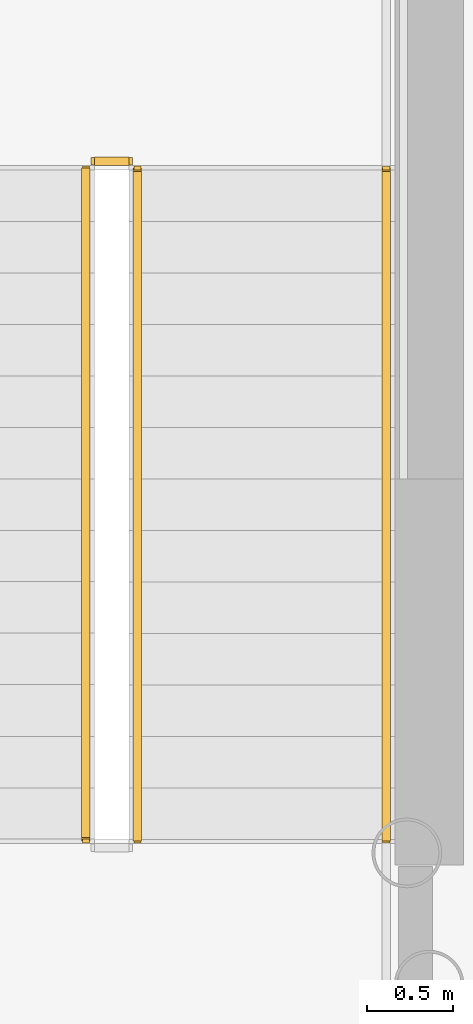
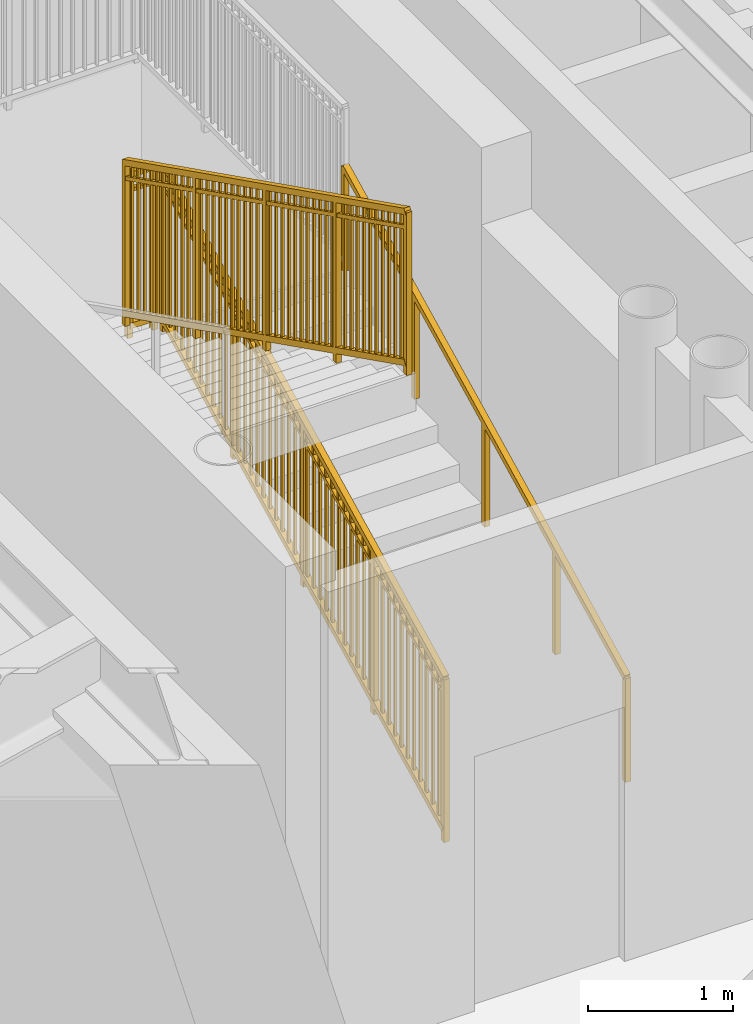
# One storey, part 25 of 32: 4 railings.
"""IFC4 building model written with IfcOpenShell, lengths in metres."""

from ifc_helpers import new_model, si_unit, direction, frame, origin, origin_2d, place, context, subcontext, project, spatial, rectangle, extrude, source, transform, mapped, material, type_object, element, save


model = new_model("IFC4")

# Units and contexts
model_context = context("Model", 3, precision=1e-05, world=origin(), true_north=direction((0.0, 1.0)))
body_context = subcontext(model_context, "Body", "Model", "MODEL_VIEW")
ifc_project = project(units=[si_unit("LENGTHUNIT", "METRE"), si_unit("AREAUNIT", "SQUARE_METRE"), si_unit("VOLUMEUNIT", "CUBIC_METRE"), si_unit("PLANEANGLEUNIT", "RADIAN"), si_unit("MASSUNIT", "GRAM", prefix="KILO")], contexts=[model_context])

# Site, building, storey
site_placement = place(None, origin())
site = spatial("IfcSite", under=ifc_project, at=site_placement, CompositionType="ELEMENT")
building_placement = place(site_placement, origin())
building = spatial("IfcBuilding", under=site, at=building_placement, Name="Linh Dai School and Residence Tower", CompositionType="ELEMENT")
storey_placement = place(building_placement, frame((0.0, 0.0, 40.800048828125)))
storey = spatial("IfcBuildingStorey", under=building, at=storey_placement, Name="L09", CompositionType="ELEMENT", Elevation=40.800048828125)

# Railings
ifc_material_1 = material(Name="Structural Steel S355JR", Category="steel")
railing_type_1 = type_object("IfcRailingType", Name="RL-ST-GUARD-1400", PredefinedType="GUARDRAIL", material=ifc_material_1)
shared_shape_1 = source(origin(), body_context, "Body", "SweptSolid", [
    extrude(rectangle(XDim=0.048095703125, YDim=0.048095703125, at=origin_2d()), frame((0.0, 0.0, 1.3759765625), z_axis=(-1.0, 0.0, 0.0), x_axis=(0.0, -1.0, 0.0)), (0.0, 0.0, 1.0), 0.199951171875),
    extrude(rectangle(XDim=0.048095703125, YDim=0.048095703125, at=origin_2d()), frame((0.0, 0.0, 0.10009765625), z_axis=(-1.0, 0.0, 0.0), x_axis=(0.0, -1.0, 0.0)), (0.0, 0.0, 1.0), 0.199951171875),
    extrude(rectangle(XDim=0.030029296875, YDim=0.030029296875, at=origin_2d()), frame((0.0, 0.0, 1.239990234375), z_axis=(-1.0, 0.0, 0.0), x_axis=(0.0, -1.0, 0.0)), (0.0, 0.0, 1.0), 0.199951171875),
    extrude(rectangle(XDim=0.0419921875, YDim=0.0419921875, at=origin_2d()), origin(), (0.0, 0.0, 1.0), 1.3759765625),
    extrude(rectangle(XDim=0.0419921875, YDim=0.0419921875, at=origin_2d()), frame((-0.199951171875, 0.0, 0.0)), (0.0, 0.0, 1.0), 1.3759765625),
])
railing_1_placement = place(storey_placement, frame((29.429931640625, 29.64990234375, 2.099853515625)))
element("IfcRailing", 1, at=railing_1_placement, inside=storey, type_object=railing_type_1, Name="L09 ST1 stair guard 2", PredefinedType="GUARDRAIL", context=body_context, shape_type="MappedRepresentation", body=[
    mapped(shared_shape_1, transform((0.0, 0.0, 0.0), x_axis=(1.0, 0.0, 0.0), y_axis=(0.0, 1.0, 0.0), z_axis=(0.0, 0.0, 1.0), scale=1.0)),
])
shared_shape_2 = source(origin(), body_context, "Body", "SweptSolid", [
    extrude(rectangle(XDim=0.048095703125, YDim=0.048095703125, at=origin_2d()), frame((0.0, 0.0, 1.3759765625), z_axis=(0.0, -0.894438388696, 0.447191199406), x_axis=(1.0, 0.0, 0.0)), (0.0, 0.0, 1.0), 4.3603515625),
    extrude(rectangle(XDim=0.048095703125, YDim=0.048095703125, at=origin_2d()), frame((0.0, 0.0, 0.10009765625), z_axis=(0.0, -0.894438388696, 0.447191199406), x_axis=(1.0, 0.0, 0.0)), (0.0, 0.0, 1.0), 4.3603515625),
    extrude(rectangle(XDim=0.030029296875, YDim=0.030029296875, at=origin_2d()), frame((0.0, 0.0, 1.239990234375), z_axis=(0.0, -0.894438388696, 0.447191199406), x_axis=(1.0, 0.0, 0.0)), (0.0, 0.0, 1.0), 4.3603515625),
    extrude(rectangle(XDim=0.02001953125, YDim=0.02001953125, at=origin_2d()), frame((0.0, -0.086669921875, 0.143310546875)), (0.0, 0.0, 1.0), 1.251708984375),
    extrude(rectangle(XDim=0.02001953125, YDim=0.02001953125, at=origin_2d()), frame((0.0, -0.17333984375, 0.186767578125)), (0.0, 0.0, 1.0), 1.251708984375),
    extrude(rectangle(XDim=0.02001953125, YDim=0.02001953125, at=origin_2d()), frame((0.0, -0.260009765625, 0.22998046875)), (0.0, 0.0, 1.0), 1.251708984375),
    extrude(rectangle(XDim=0.02001953125, YDim=0.02001953125, at=origin_2d()), frame((0.0, -0.3466796875, 0.2734375)), (0.0, 0.0, 1.0), 1.251708984375),
    extrude(rectangle(XDim=0.02001953125, YDim=0.02001953125, at=origin_2d()), frame((0.0, -0.433349609375, 0.316650390625)), (0.0, 0.0, 1.0), 1.251708984375),
    extrude(rectangle(XDim=0.02001953125, YDim=0.02001953125, at=origin_2d()), frame((0.0, -0.52001953125, 0.360107421875)), (0.0, 0.0, 1.0), 1.251708984375),
    extrude(rectangle(XDim=0.02001953125, YDim=0.02001953125, at=origin_2d()), frame((0.0, -0.606689453125, 0.4033203125)), (0.0, 0.0, 1.0), 1.251708984375),
    extrude(rectangle(XDim=0.02001953125, YDim=0.02001953125, at=origin_2d()), frame((0.0, -0.693359375, 0.44677734375)), (0.0, 0.0, 1.0), 1.251708984375),
    extrude(rectangle(XDim=0.02001953125, YDim=0.02001953125, at=origin_2d()), frame((0.0, -0.780029296875, 0.489990234375)), (0.0, 0.0, 1.0), 1.251708984375),
    extrude(rectangle(XDim=0.02001953125, YDim=0.02001953125, at=origin_2d()), frame((0.0, -0.86669921875, 0.533447265625)), (0.0, 0.0, 1.0), 1.251708984375),
    extrude(rectangle(XDim=0.02001953125, YDim=0.02001953125, at=origin_2d()), frame((0.0, -1.0400390625, 0.6201171875)), (0.0, 0.0, 1.0), 1.251708984375),
    extrude(rectangle(XDim=0.02001953125, YDim=0.02001953125, at=origin_2d()), frame((0.0, -1.126708984375, 0.663330078125)), (0.0, 0.0, 1.0), 1.251708984375),
    extrude(rectangle(XDim=0.02001953125, YDim=0.02001953125, at=origin_2d()), frame((0.0, -1.21337890625, 0.706787109375)), (0.0, 0.0, 1.0), 1.251708984375),
    extrude(rectangle(XDim=0.02001953125, YDim=0.02001953125, at=origin_2d()), frame((0.0, -1.300048828125, 0.75)), (0.0, 0.0, 1.0), 1.251708984375),
    extrude(rectangle(XDim=0.02001953125, YDim=0.02001953125, at=origin_2d()), frame((0.0, -1.38671875, 0.79345703125)), (0.0, 0.0, 1.0), 1.251708984375),
    extrude(rectangle(XDim=0.02001953125, YDim=0.02001953125, at=origin_2d()), frame((0.0, -1.473388671875, 0.836669921875)), (0.0, 0.0, 1.0), 1.251708984375),
    extrude(rectangle(XDim=0.02001953125, YDim=0.02001953125, at=origin_2d()), frame((0.0, -1.56005859375, 0.880126953125)), (0.0, 0.0, 1.0), 1.251708984375),
    extrude(rectangle(XDim=0.02001953125, YDim=0.02001953125, at=origin_2d()), frame((0.0, -1.646728515625, 0.92333984375)), (0.0, 0.0, 1.0), 1.251708984375),
    extrude(rectangle(XDim=0.02001953125, YDim=0.02001953125, at=origin_2d()), frame((0.0, -1.7333984375, 0.966796875)), (0.0, 0.0, 1.0), 1.251708984375),
    extrude(rectangle(XDim=0.02001953125, YDim=0.02001953125, at=origin_2d()), frame((0.0, -1.820068359375, 1.010009765625)), (0.0, 0.0, 1.0), 1.251708984375),
    extrude(rectangle(XDim=0.02001953125, YDim=0.02001953125, at=origin_2d()), frame((0.0, -1.90673828125, 1.053466796875)), (0.0, 0.0, 1.0), 1.251708984375),
    extrude(rectangle(XDim=0.02001953125, YDim=0.02001953125, at=origin_2d()), frame((0.0, -1.993408203125, 1.0966796875)), (0.0, 0.0, 1.0), 1.251708984375),
    extrude(rectangle(XDim=0.02001953125, YDim=0.02001953125, at=origin_2d()), frame((0.0, -2.080078125, 1.14013671875)), (0.0, 0.0, 1.0), 1.251708984375),
    extrude(rectangle(XDim=0.02001953125, YDim=0.02001953125, at=origin_2d()), frame((0.0, -2.166748046875, 1.183349609375)), (0.0, 0.0, 1.0), 1.251708984375),
    extrude(rectangle(XDim=0.02001953125, YDim=0.02001953125, at=origin_2d()), frame((0.0, -2.25341796875, 1.226806640625)), (0.0, 0.0, 1.0), 1.251708984375),
    extrude(rectangle(XDim=0.02001953125, YDim=0.02001953125, at=origin_2d()), frame((0.0, -2.340087890625, 1.27001953125)), (0.0, 0.0, 1.0), 1.251708984375),
    extrude(rectangle(XDim=0.02001953125, YDim=0.02001953125, at=origin_2d()), frame((0.0, -2.4267578125, 1.3134765625)), (0.0, 0.0, 1.0), 1.251708984375),
    extrude(rectangle(XDim=0.02001953125, YDim=0.02001953125, at=origin_2d()), frame((0.0, -2.513427734375, 1.356689453125)), (0.0, 0.0, 1.0), 1.251708984375),
    extrude(rectangle(XDim=0.02001953125, YDim=0.02001953125, at=origin_2d()), frame((0.0, -2.60009765625, 1.400146484375)), (0.0, 0.0, 1.0), 1.251708984375),
    extrude(rectangle(XDim=0.02001953125, YDim=0.02001953125, at=origin_2d()), frame((0.0, -2.686767578125, 1.443359375)), (0.0, 0.0, 1.0), 1.251708984375),
    extrude(rectangle(XDim=0.02001953125, YDim=0.02001953125, at=origin_2d()), frame((0.0, -2.7734375, 1.48681640625)), (0.0, 0.0, 1.0), 1.251708984375),
    extrude(rectangle(XDim=0.02001953125, YDim=0.02001953125, at=origin_2d()), frame((0.0, -2.860107421875, 1.530029296875)), (0.0, 0.0, 1.0), 1.251708984375),
    extrude(rectangle(XDim=0.02001953125, YDim=0.02001953125, at=origin_2d()), frame((0.0, -3.033447265625, 1.61669921875)), (0.0, 0.0, 1.0), 1.251708984375),
    extrude(rectangle(XDim=0.02001953125, YDim=0.02001953125, at=origin_2d()), frame((0.0, -3.1201171875, 1.66015625)), (0.0, 0.0, 1.0), 1.251708984375),
    extrude(rectangle(XDim=0.02001953125, YDim=0.02001953125, at=origin_2d()), frame((0.0, -3.206787109375, 1.703369140625)), (0.0, 0.0, 1.0), 1.251708984375),
    extrude(rectangle(XDim=0.02001953125, YDim=0.02001953125, at=origin_2d()), frame((0.0, -3.29345703125, 1.746826171875)), (0.0, 0.0, 1.0), 1.251708984375),
    extrude(rectangle(XDim=0.02001953125, YDim=0.02001953125, at=origin_2d()), frame((0.0, -3.380126953125, 1.7900390625)), (0.0, 0.0, 1.0), 1.251708984375),
    extrude(rectangle(XDim=0.02001953125, YDim=0.02001953125, at=origin_2d()), frame((0.0, -3.466796875, 1.83349609375)), (0.0, 0.0, 1.0), 1.251708984375),
    extrude(rectangle(XDim=0.02001953125, YDim=0.02001953125, at=origin_2d()), frame((0.0, -3.553466796875, 1.876708984375)), (0.0, 0.0, 1.0), 1.251708984375),
    extrude(rectangle(XDim=0.02001953125, YDim=0.02001953125, at=origin_2d()), frame((0.0, -3.64013671875, 1.920166015625)), (0.0, 0.0, 1.0), 1.251708984375),
    extrude(rectangle(XDim=0.02001953125, YDim=0.02001953125, at=origin_2d()), frame((0.0, -3.726806640625, 1.96337890625)), (0.0, 0.0, 1.0), 1.251708984375),
    extrude(rectangle(XDim=0.02001953125, YDim=0.02001953125, at=origin_2d()), frame((0.0, -3.8134765625, 2.0068359375)), (0.0, 0.0, 1.0), 1.251708984375),
    extrude(rectangle(XDim=0.0419921875, YDim=0.0419921875, at=origin_2d()), origin(), (0.0, 0.0, 1.0), 1.3759765625),
    extrude(rectangle(XDim=0.0419921875, YDim=0.0419921875, at=origin_2d()), frame((0.0, -0.97509765625, 0.487548828125)), (0.0, 0.0, 1.0), 1.3759765625),
    extrude(rectangle(XDim=0.0419921875, YDim=0.0419921875, at=origin_2d()), frame((0.0, -1.9501953125, 0.97509765625)), (0.0, 0.0, 1.0), 1.3759765625),
    extrude(rectangle(XDim=0.0419921875, YDim=0.0419921875, at=origin_2d()), frame((0.0, -2.925048828125, 1.46240234375)), (0.0, 0.0, 1.0), 1.3759765625),
    extrude(rectangle(XDim=0.0419921875, YDim=0.0419921875, at=origin_2d()), frame((0.0, -3.900146484375, 1.949951171875)), (0.0, 0.0, 1.0), 1.3759765625),
])
railing_2_placement = place(storey_placement, frame((29.179931640625, 29.60009765625, 2.25)))
element("IfcRailing", 2, at=railing_2_placement, inside=storey, type_object=railing_type_1, Name="L09 ST1 stair guard 6", PredefinedType="GUARDRAIL", context=body_context, shape_type="MappedRepresentation", body=[
    mapped(shared_shape_2, transform((0.0, 0.0, 0.0), x_axis=(1.0, 0.0, 0.0), y_axis=(0.0, 1.0, 0.0), z_axis=(0.0, 0.0, 1.0), scale=1.0)),
])
shared_shape_3 = source(origin(), body_context, "Body", "SweptSolid", [
    extrude(rectangle(XDim=0.048095703125, YDim=0.048095703125, at=origin_2d()), frame((0.0, 0.0, 1.3759765625), z_axis=(0.0, 0.894438388696, 0.447191199406), x_axis=(-1.0, 0.0, 0.0)), (0.0, 0.0, 1.0), 4.3603515625),
    extrude(rectangle(XDim=0.048095703125, YDim=0.048095703125, at=origin_2d()), frame((0.0, 0.0, 0.10009765625), z_axis=(0.0, 0.894438388696, 0.447191199406), x_axis=(-1.0, 0.0, 0.0)), (0.0, 0.0, 1.0), 4.3603515625),
    extrude(rectangle(XDim=0.030029296875, YDim=0.030029296875, at=origin_2d()), frame((0.0, 0.0, 1.239990234375), z_axis=(0.0, 0.894438388696, 0.447191199406), x_axis=(-1.0, 0.0, 0.0)), (0.0, 0.0, 1.0), 4.3603515625),
    extrude(rectangle(XDim=0.02001953125, YDim=0.02001953125, at=origin_2d()), frame((0.0, 0.086669921875, 0.143310546875)), (0.0, 0.0, 1.0), 1.251708984375),
    extrude(rectangle(XDim=0.02001953125, YDim=0.02001953125, at=origin_2d()), frame((0.0, 0.17333984375, 0.186767578125)), (0.0, 0.0, 1.0), 1.251708984375),
    extrude(rectangle(XDim=0.02001953125, YDim=0.02001953125, at=origin_2d()), frame((0.0, 0.260009765625, 0.22998046875)), (0.0, 0.0, 1.0), 1.251708984375),
    extrude(rectangle(XDim=0.02001953125, YDim=0.02001953125, at=origin_2d()), frame((0.0, 0.3466796875, 0.2734375)), (0.0, 0.0, 1.0), 1.251708984375),
    extrude(rectangle(XDim=0.02001953125, YDim=0.02001953125, at=origin_2d()), frame((0.0, 0.433349609375, 0.316650390625)), (0.0, 0.0, 1.0), 1.251708984375),
    extrude(rectangle(XDim=0.02001953125, YDim=0.02001953125, at=origin_2d()), frame((0.0, 0.52001953125, 0.360107421875)), (0.0, 0.0, 1.0), 1.251708984375),
    extrude(rectangle(XDim=0.02001953125, YDim=0.02001953125, at=origin_2d()), frame((0.0, 0.606689453125, 0.4033203125)), (0.0, 0.0, 1.0), 1.251708984375),
    extrude(rectangle(XDim=0.02001953125, YDim=0.02001953125, at=origin_2d()), frame((0.0, 0.693359375, 0.44677734375)), (0.0, 0.0, 1.0), 1.251708984375),
    extrude(rectangle(XDim=0.02001953125, YDim=0.02001953125, at=origin_2d()), frame((0.0, 0.780029296875, 0.489990234375)), (0.0, 0.0, 1.0), 1.251708984375),
    extrude(rectangle(XDim=0.02001953125, YDim=0.02001953125, at=origin_2d()), frame((0.0, 0.86669921875, 0.533447265625)), (0.0, 0.0, 1.0), 1.251708984375),
    extrude(rectangle(XDim=0.02001953125, YDim=0.02001953125, at=origin_2d()), frame((0.0, 1.0400390625, 0.6201171875)), (0.0, 0.0, 1.0), 1.251708984375),
    extrude(rectangle(XDim=0.02001953125, YDim=0.02001953125, at=origin_2d()), frame((0.0, 1.126708984375, 0.663330078125)), (0.0, 0.0, 1.0), 1.251708984375),
    extrude(rectangle(XDim=0.02001953125, YDim=0.02001953125, at=origin_2d()), frame((0.0, 1.21337890625, 0.706787109375)), (0.0, 0.0, 1.0), 1.251708984375),
    extrude(rectangle(XDim=0.02001953125, YDim=0.02001953125, at=origin_2d()), frame((0.0, 1.300048828125, 0.75)), (0.0, 0.0, 1.0), 1.251708984375),
    extrude(rectangle(XDim=0.02001953125, YDim=0.02001953125, at=origin_2d()), frame((0.0, 1.38671875, 0.79345703125)), (0.0, 0.0, 1.0), 1.251708984375),
    extrude(rectangle(XDim=0.02001953125, YDim=0.02001953125, at=origin_2d()), frame((0.0, 1.473388671875, 0.836669921875)), (0.0, 0.0, 1.0), 1.251708984375),
    extrude(rectangle(XDim=0.02001953125, YDim=0.02001953125, at=origin_2d()), frame((0.0, 1.56005859375, 0.880126953125)), (0.0, 0.0, 1.0), 1.251708984375),
    extrude(rectangle(XDim=0.02001953125, YDim=0.02001953125, at=origin_2d()), frame((0.0, 1.646728515625, 0.92333984375)), (0.0, 0.0, 1.0), 1.251708984375),
    extrude(rectangle(XDim=0.02001953125, YDim=0.02001953125, at=origin_2d()), frame((0.0, 1.7333984375, 0.966796875)), (0.0, 0.0, 1.0), 1.251708984375),
    extrude(rectangle(XDim=0.02001953125, YDim=0.02001953125, at=origin_2d()), frame((0.0, 1.820068359375, 1.010009765625)), (0.0, 0.0, 1.0), 1.251708984375),
    extrude(rectangle(XDim=0.02001953125, YDim=0.02001953125, at=origin_2d()), frame((0.0, 1.90673828125, 1.053466796875)), (0.0, 0.0, 1.0), 1.251708984375),
    extrude(rectangle(XDim=0.02001953125, YDim=0.02001953125, at=origin_2d()), frame((0.0, 1.993408203125, 1.0966796875)), (0.0, 0.0, 1.0), 1.251708984375),
    extrude(rectangle(XDim=0.02001953125, YDim=0.02001953125, at=origin_2d()), frame((0.0, 2.080078125, 1.14013671875)), (0.0, 0.0, 1.0), 1.251708984375),
    extrude(rectangle(XDim=0.02001953125, YDim=0.02001953125, at=origin_2d()), frame((0.0, 2.166748046875, 1.183349609375)), (0.0, 0.0, 1.0), 1.251708984375),
    extrude(rectangle(XDim=0.02001953125, YDim=0.02001953125, at=origin_2d()), frame((0.0, 2.25341796875, 1.226806640625)), (0.0, 0.0, 1.0), 1.251708984375),
    extrude(rectangle(XDim=0.02001953125, YDim=0.02001953125, at=origin_2d()), frame((0.0, 2.340087890625, 1.27001953125)), (0.0, 0.0, 1.0), 1.251708984375),
    extrude(rectangle(XDim=0.02001953125, YDim=0.02001953125, at=origin_2d()), frame((0.0, 2.4267578125, 1.3134765625)), (0.0, 0.0, 1.0), 1.251708984375),
    extrude(rectangle(XDim=0.02001953125, YDim=0.02001953125, at=origin_2d()), frame((0.0, 2.513427734375, 1.356689453125)), (0.0, 0.0, 1.0), 1.251708984375),
    extrude(rectangle(XDim=0.02001953125, YDim=0.02001953125, at=origin_2d()), frame((0.0, 2.60009765625, 1.400146484375)), (0.0, 0.0, 1.0), 1.251708984375),
    extrude(rectangle(XDim=0.02001953125, YDim=0.02001953125, at=origin_2d()), frame((0.0, 2.686767578125, 1.443359375)), (0.0, 0.0, 1.0), 1.251708984375),
    extrude(rectangle(XDim=0.02001953125, YDim=0.02001953125, at=origin_2d()), frame((0.0, 2.7734375, 1.48681640625)), (0.0, 0.0, 1.0), 1.251708984375),
    extrude(rectangle(XDim=0.02001953125, YDim=0.02001953125, at=origin_2d()), frame((0.0, 2.860107421875, 1.530029296875)), (0.0, 0.0, 1.0), 1.251708984375),
    extrude(rectangle(XDim=0.02001953125, YDim=0.02001953125, at=origin_2d()), frame((0.0, 3.033447265625, 1.61669921875)), (0.0, 0.0, 1.0), 1.251708984375),
    extrude(rectangle(XDim=0.02001953125, YDim=0.02001953125, at=origin_2d()), frame((0.0, 3.1201171875, 1.66015625)), (0.0, 0.0, 1.0), 1.251708984375),
    extrude(rectangle(XDim=0.02001953125, YDim=0.02001953125, at=origin_2d()), frame((0.0, 3.206787109375, 1.703369140625)), (0.0, 0.0, 1.0), 1.251708984375),
    extrude(rectangle(XDim=0.02001953125, YDim=0.02001953125, at=origin_2d()), frame((0.0, 3.29345703125, 1.746826171875)), (0.0, 0.0, 1.0), 1.251708984375),
    extrude(rectangle(XDim=0.02001953125, YDim=0.02001953125, at=origin_2d()), frame((0.0, 3.380126953125, 1.7900390625)), (0.0, 0.0, 1.0), 1.251708984375),
    extrude(rectangle(XDim=0.02001953125, YDim=0.02001953125, at=origin_2d()), frame((0.0, 3.466796875, 1.83349609375)), (0.0, 0.0, 1.0), 1.251708984375),
    extrude(rectangle(XDim=0.02001953125, YDim=0.02001953125, at=origin_2d()), frame((0.0, 3.553466796875, 1.876708984375)), (0.0, 0.0, 1.0), 1.251708984375),
    extrude(rectangle(XDim=0.02001953125, YDim=0.02001953125, at=origin_2d()), frame((0.0, 3.64013671875, 1.920166015625)), (0.0, 0.0, 1.0), 1.251708984375),
    extrude(rectangle(XDim=0.02001953125, YDim=0.02001953125, at=origin_2d()), frame((0.0, 3.726806640625, 1.96337890625)), (0.0, 0.0, 1.0), 1.251708984375),
    extrude(rectangle(XDim=0.02001953125, YDim=0.02001953125, at=origin_2d()), frame((0.0, 3.8134765625, 2.0068359375)), (0.0, 0.0, 1.0), 1.251708984375),
    extrude(rectangle(XDim=0.0419921875, YDim=0.0419921875, at=origin_2d()), origin(), (0.0, 0.0, 1.0), 1.3759765625),
    extrude(rectangle(XDim=0.0419921875, YDim=0.0419921875, at=origin_2d()), frame((0.0, 0.97509765625, 0.487548828125)), (0.0, 0.0, 1.0), 1.3759765625),
    extrude(rectangle(XDim=0.0419921875, YDim=0.0419921875, at=origin_2d()), frame((0.0, 1.9501953125, 0.97509765625)), (0.0, 0.0, 1.0), 1.3759765625),
    extrude(rectangle(XDim=0.0419921875, YDim=0.0419921875, at=origin_2d()), frame((0.0, 2.925048828125, 1.46240234375)), (0.0, 0.0, 1.0), 1.3759765625),
    extrude(rectangle(XDim=0.0419921875, YDim=0.0419921875, at=origin_2d()), frame((0.0, 3.900146484375, 1.949951171875)), (0.0, 0.0, 1.0), 1.3759765625),
])
railing_3_placement = place(storey_placement, frame((29.47998046875, 25.699951171875, 0.14990234375)))
element("IfcRailing", 3, at=railing_3_placement, inside=storey, type_object=railing_type_1, Name="L09 ST1 stair guard 1", PredefinedType="GUARDRAIL", context=body_context, shape_type="MappedRepresentation", body=[
    mapped(shared_shape_3, transform((0.0, 0.0, 0.0), x_axis=(1.0, 0.0, 0.0), y_axis=(0.0, 1.0, 0.0), z_axis=(0.0, 0.0, 1.0), scale=1.0)),
])
ifc_material_2 = material(Name="Brushed Stainless Steel Handrail", Category="steel")
railing_type_2 = type_object("IfcRailingType", Name="RL-ST-HANDRAIL-900", PredefinedType="HANDRAIL", material=ifc_material_2)
shared_shape_4 = source(origin(), body_context, "Body", "SweptSolid", [
    extrude(rectangle(XDim=0.048095703125, YDim=0.048095703125, at=origin_2d()), frame((0.0, 0.0, 0.8759765625), z_axis=(0.0, 0.894438388696, 0.447191199406), x_axis=(-1.0, 0.0, 0.0)), (0.0, 0.0, 1.0), 4.3603515625),
    extrude(rectangle(XDim=0.0419921875, YDim=0.0419921875, at=origin_2d()), origin(), (0.0, 0.0, 1.0), 0.8759765625),
    extrude(rectangle(XDim=0.0419921875, YDim=0.0419921875, at=origin_2d()), frame((0.0, 0.97509765625, 0.487548828125)), (0.0, 0.0, 1.0), 0.8759765625),
    extrude(rectangle(XDim=0.0419921875, YDim=0.0419921875, at=origin_2d()), frame((0.0, 1.9501953125, 0.97509765625)), (0.0, 0.0, 1.0), 0.8759765625),
    extrude(rectangle(XDim=0.0419921875, YDim=0.0419921875, at=origin_2d()), frame((0.0, 2.925048828125, 1.46240234375)), (0.0, 0.0, 1.0), 0.8759765625),
    extrude(rectangle(XDim=0.0419921875, YDim=0.0419921875, at=origin_2d()), frame((0.0, 3.900146484375, 1.949951171875)), (0.0, 0.0, 1.0), 0.8759765625),
])
railing_4_placement = place(storey_placement, frame((30.929931640625, 25.699951171875, 0.14990234375)))
element("IfcRailing", 4, at=railing_4_placement, inside=storey, type_object=railing_type_2, Name="L09 ST1 stair handrail 1", PredefinedType="HANDRAIL", context=body_context, shape_type="MappedRepresentation", body=[
    mapped(shared_shape_4, transform((0.0, 0.0, 0.0), x_axis=(1.0, 0.0, 0.0), y_axis=(0.0, 1.0, 0.0), z_axis=(0.0, 0.0, 1.0), scale=1.0)),
])

save(model, "model.ifc")
